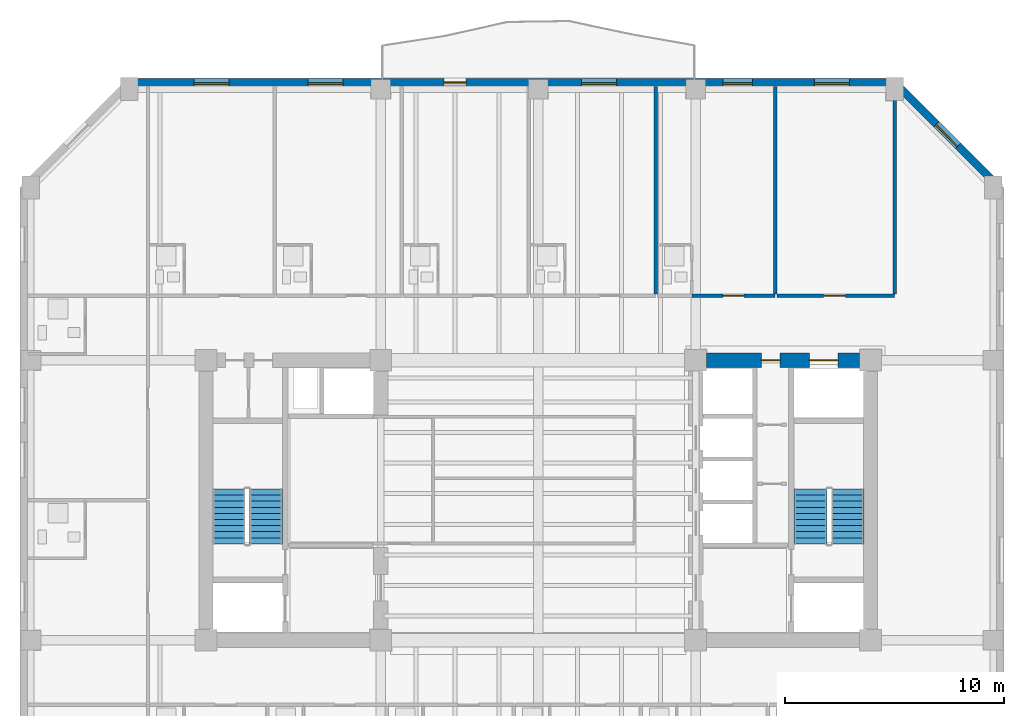
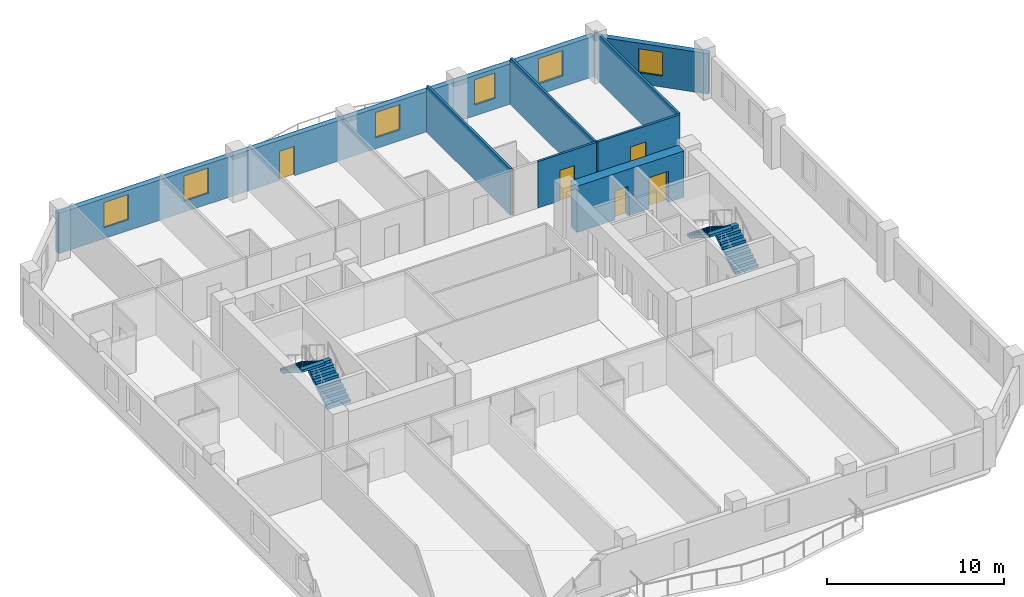
# One storey, part 6 of 11: 8 walls, 6 windows, 5 doors, 4 stair flights, 11 openings, 2 elements without a shape of their own.
"""IFC4 building model written with IfcOpenShell, lengths in metres."""

from ifc_helpers import new_model, si_unit, direction, frame, frame_2d, origin, place, context, subcontext, project, spatial, polyline, rectangle, outline, extrude, material, layer, layer_set, type_object, element, fill, aggregate, save


model = new_model("IFC4")

# Units and contexts
model_context = context("Model", 3, precision=1e-05, world=origin(), true_north=direction((0.0, 1.0)))
body_context = subcontext(model_context, "Body", "Model", "MODEL_VIEW")
ifc_project = project(units=[si_unit("LENGTHUNIT", "METRE"), si_unit("AREAUNIT", "SQUARE_METRE"), si_unit("VOLUMEUNIT", "CUBIC_METRE"), si_unit("PLANEANGLEUNIT", "RADIAN"), si_unit("MASSUNIT", "GRAM", prefix="KILO")], contexts=[model_context])

# Site, building, storey
site_placement = place(None, origin())
site = spatial("IfcSite", under=ifc_project, at=site_placement, CompositionType="ELEMENT")
building_placement = place(site_placement, origin())
building = spatial("IfcBuilding", under=site, at=building_placement, Name="Kranthara Brick Stack", CompositionType="ELEMENT")
storey_placement = place(building_placement, frame((0.0, 0.0, 130.800048828125)))
storey = spatial("IfcBuildingStorey", under=building, at=storey_placement, Name="L32", CompositionType="ELEMENT", Elevation=130.800048828125)

# Wall, openings, door, windows
ifc_material_1 = material(Name="Kiln-fired clay brick masonry M15", Category="masonry")
ifc_layer_1 = layer(ifc_material_1, 0.35009765625)
ifc_layer_set_1 = layer_set([ifc_layer_1], Name="Kiln-fired clay brick masonry M15")
wall_type_1 = type_object("IfcWallType", Name="WL-BRK-SPND-350", PredefinedType="STANDARD", material=ifc_layer_set_1)
wall_1_placement = place(storey_placement, frame((9.300048828125, 46.304931640625, 0.0), z_axis=(0.0, 0.0, 1.0), x_axis=(1.0, 0.0, 0.0)))
wall_1 = element("IfcWall", 1, at=wall_1_placement, inside=storey, type_object=wall_type_1, Name="L32 Exterior Brick Facade Wall NORTH 1", PredefinedType="STANDARD", context=body_context, shape_type="SweptSolid", body=[
    extrude(rectangle(XDim=35.0, YDim=0.35009765625, at=frame_2d((17.5, 0.0))), origin(), (0.0, 0.0, 1.0), 2.784912109375),
])
opening_1_placement = place(wall_1_placement, frame((14.39990234375, 0.0, 0.0)))
opening_1 = element("IfcOpeningElement", 2, at=opening_1_placement, cuts=wall_1, Name="Opening D03", PredefinedType="OPENING", context=body_context, shape_type="SweptSolid", body=[
    extrude(rectangle(XDim=1.0, YDim=2.02001953125, at=frame_2d((0.5, 1.010009765625))), frame((0.0, 0.18505859375, 0.0), z_axis=(0.0, -1.0, 0.0), x_axis=(1.0, 0.0, 0.0)), (0.0, 0.0, 1.0), 0.3701171875),
])
opening_2_placement = place(wall_1_placement, frame((2.952880859375, 0.0, 0.75)))
opening_2 = element("IfcOpeningElement", 3, at=opening_2_placement, cuts=wall_1, Name="Opening WN04", PredefinedType="OPENING", context=body_context, shape_type="SweptSolid", body=[
    extrude(rectangle(XDim=1.60009765625, YDim=1.75, at=frame_2d((0.800048828125, 0.875))), frame((0.0, 0.18505859375, 0.0), z_axis=(0.0, -1.0, 0.0), x_axis=(1.0, 0.0, 0.0)), (0.0, 0.0, 1.0), 0.3701171875),
])
opening_3_placement = place(wall_1_placement, frame((8.177978515625, 0.0, 0.75)))
opening_3 = element("IfcOpeningElement", 4, at=opening_3_placement, cuts=wall_1, Name="Opening WN04", PredefinedType="OPENING", context=body_context, shape_type="SweptSolid", body=[
    extrude(rectangle(XDim=1.60009765625, YDim=1.75, at=frame_2d((0.800048828125, 0.875))), frame((0.0, 0.18505859375, 0.0), z_axis=(0.0, -1.0, 0.0), x_axis=(1.0, 0.0, 0.0)), (0.0, 0.0, 1.0), 0.3701171875),
])
opening_4_placement = place(wall_1_placement, frame((20.68603515625, 0.0, 0.75)))
opening_4 = element("IfcOpeningElement", 5, at=opening_4_placement, cuts=wall_1, Name="Opening WN04", PredefinedType="OPENING", context=body_context, shape_type="SweptSolid", body=[
    extrude(rectangle(XDim=1.60009765625, YDim=1.75, at=frame_2d((0.800048828125, 0.875))), frame((0.0, 0.18505859375, 0.0), z_axis=(0.0, -1.0, 0.0), x_axis=(1.0, 0.0, 0.0)), (0.0, 0.0, 1.0), 0.3701171875),
])
opening_5_placement = place(wall_1_placement, frame((27.14306640625, 0.0, 0.75)))
opening_5 = element("IfcOpeningElement", 6, at=opening_5_placement, cuts=wall_1, Name="Opening WN06", PredefinedType="OPENING", context=body_context, shape_type="SweptSolid", body=[
    extrude(rectangle(XDim=1.35009765625, YDim=1.75, at=frame_2d((0.675048828125, 0.875))), frame((0.0, 0.18505859375, 0.0), z_axis=(0.0, -1.0, 0.0), x_axis=(1.0, 0.0, 0.0)), (0.0, 0.0, 1.0), 0.3701171875),
])
opening_6_placement = place(wall_1_placement, frame((31.330078125, 0.0, 0.75)))
opening_6 = element("IfcOpeningElement", 7, at=opening_6_placement, cuts=wall_1, Name="Opening WN04", PredefinedType="OPENING", context=body_context, shape_type="SweptSolid", body=[
    extrude(rectangle(XDim=1.60009765625, YDim=1.75, at=frame_2d((0.800048828125, 0.875))), frame((0.0, 0.18505859375, 0.0), z_axis=(0.0, -1.0, 0.0), x_axis=(1.0, 0.0, 0.0)), (0.0, 0.0, 1.0), 0.3701171875),
])
ifc_material_2 = material(Name="Bronze anodised aluminium and laminated glass", Category="aluminium")
door_type_1 = type_object("IfcDoorType", Name="DR-BALC-1000", OperationType="NOTDEFINED", PredefinedType="DOOR", material=ifc_material_2)
door_1_placement = place(opening_1_placement, origin())
door_1 = element("IfcDoor", 8, at=door_1_placement, inside=storey, type_object=door_type_1, Name="L32 North Balcony Terrace Door", OperationType="SINGLE_SWING_RIGHT", OverallHeight=2.02001953125, OverallWidth=1.0, PredefinedType="DOOR", context=body_context, shape_type="SweptSolid", body=[
    extrude(rectangle(XDim=1.0, YDim=2.02001953125, at=frame_2d((0.5, 1.010009765625))), frame((0.0, 0.02490234375, 0.0), z_axis=(0.0, -1.0, 0.0), x_axis=(1.0, 0.0, 0.0)), (0.0, 0.0, 1.0), 0.050048828125),
])
fill(opening_1, door_1)
ifc_material_3 = material(Name="Double-glazed low-E solar control glass", Category="glass")
window_type_1 = type_object("IfcWindowType", Name="WN-HTL-1350x1850", PartitioningType="SINGLE_PANEL", PredefinedType="WINDOW", material=ifc_material_3)
window_1_placement = place(opening_5_placement, origin())
window_1 = element("IfcWindow", 9, at=window_1_placement, inside=storey, type_object=window_type_1, Name="L32 North Deep-Set Brick Window 04", OverallHeight=1.75, OverallWidth=1.35009765625, PartitioningType="SINGLE_PANEL", PredefinedType="WINDOW", context=body_context, shape_type="SweptSolid", body=[
    extrude(rectangle(XDim=1.35009765625, YDim=1.75, at=frame_2d((0.675048828125, 0.875))), frame((0.0, -0.010009765625, 0.0), z_axis=(0.0, -1.0, 0.0), x_axis=(1.0, 0.0, 0.0)), (0.0, 0.0, 1.0), 0.06005859375),
])
fill(opening_5, window_1)
ifc_material_4 = material(Name="Double-glazed low-E solar control glass", Category="glass")
window_type_2 = type_object("IfcWindowType", Name="WN-HTL-1600x1850", PartitioningType="DOUBLE_PANEL_VERTICAL", PredefinedType="WINDOW", material=ifc_material_4)
window_2_placement = place(opening_2_placement, origin())
window_2 = element("IfcWindow", 10, at=window_2_placement, inside=storey, type_object=window_type_2, Name="L32 North Deep-Set Brick Window 01", OverallHeight=1.75, OverallWidth=1.60009765625, PartitioningType="SINGLE_PANEL", PredefinedType="WINDOW", context=body_context, shape_type="SweptSolid", body=[
    extrude(rectangle(XDim=1.60009765625, YDim=1.75, at=frame_2d((0.800048828125, 0.875))), frame((0.0, -0.010009765625, 0.0), z_axis=(0.0, -1.0, 0.0), x_axis=(1.0, 0.0, 0.0)), (0.0, 0.0, 1.0), 0.06005859375),
])
fill(opening_2, window_2)
window_3_placement = place(opening_3_placement, origin())
window_3 = element("IfcWindow", 11, at=window_3_placement, inside=storey, type_object=window_type_2, Name="L32 North Deep-Set Brick Window 02", OverallHeight=1.75, OverallWidth=1.60009765625, PartitioningType="SINGLE_PANEL", PredefinedType="WINDOW", context=body_context, shape_type="SweptSolid", body=[
    extrude(rectangle(XDim=1.60009765625, YDim=1.75, at=frame_2d((0.800048828125, 0.875))), frame((0.0, -0.010009765625, 0.0), z_axis=(0.0, -1.0, 0.0), x_axis=(1.0, 0.0, 0.0)), (0.0, 0.0, 1.0), 0.06005859375),
])
fill(opening_3, window_3)
window_4_placement = place(opening_4_placement, origin())
window_4 = element("IfcWindow", 12, at=window_4_placement, inside=storey, type_object=window_type_2, Name="L32 North Deep-Set Brick Window 03", OverallHeight=1.75, OverallWidth=1.60009765625, PartitioningType="SINGLE_PANEL", PredefinedType="WINDOW", context=body_context, shape_type="SweptSolid", body=[
    extrude(rectangle(XDim=1.60009765625, YDim=1.75, at=frame_2d((0.800048828125, 0.875))), frame((0.0, -0.010009765625, 0.0), z_axis=(0.0, -1.0, 0.0), x_axis=(1.0, 0.0, 0.0)), (0.0, 0.0, 1.0), 0.06005859375),
])
fill(opening_4, window_4)
window_5_placement = place(opening_6_placement, origin())
window_5 = element("IfcWindow", 13, at=window_5_placement, inside=storey, type_object=window_type_2, Name="L32 North Deep-Set Brick Window 05", OverallHeight=1.75, OverallWidth=1.60009765625, PartitioningType="SINGLE_PANEL", PredefinedType="WINDOW", context=body_context, shape_type="SweptSolid", body=[
    extrude(rectangle(XDim=1.60009765625, YDim=1.75, at=frame_2d((0.800048828125, 0.875))), frame((0.0, -0.010009765625, 0.0), z_axis=(0.0, -1.0, 0.0), x_axis=(1.0, 0.0, 0.0)), (0.0, 0.0, 1.0), 0.06005859375),
])
fill(opening_6, window_5)

# Wall, opening, window
wall_2_placement = place(storey_placement, frame((44.300048828125, 46.304931640625, 0.0), z_axis=(0.0, 0.0, 1.0), x_axis=(0.707106781187, -0.707106781187, 0.0)))
wall_2 = element("IfcWall", 14, at=wall_2_placement, inside=storey, type_object=wall_type_1, Name="L32 Exterior Brick Facade Wall NE 1", PredefinedType="STANDARD", context=body_context, shape_type="SweptSolid", body=[
    extrude(rectangle(XDim=6.795166015625, YDim=0.35009765625, at=frame_2d((3.3974609375, 0.0))), origin(), (0.0, 0.0, 1.0), 2.784912109375),
])
opening_7_placement = place(wall_2_placement, frame((2.697998046875, 0.0, 0.75)))
opening_7 = element("IfcOpeningElement", 15, at=opening_7_placement, cuts=wall_2, Name="Opening WN10", PredefinedType="OPENING", context=body_context, shape_type="SweptSolid", body=[
    extrude(rectangle(XDim=1.39990234375, YDim=1.64990234375, at=frame_2d((0.699951171875, 0.824951171875))), frame((0.0, 0.18505859375, 0.0), z_axis=(0.0, -1.0, 0.0), x_axis=(1.0, 0.0, 0.0)), (0.0, 0.0, 1.0), 0.3701171875),
])
ifc_material_5 = material(Name="Double-glazed low-E solar control glass", Category="glass")
window_type_3 = type_object("IfcWindowType", Name="WN-CHM-1400x1750", PartitioningType="SINGLE_PANEL", PredefinedType="WINDOW", material=ifc_material_5)
window_6_placement = place(opening_7_placement, origin())
window_6 = element("IfcWindow", 16, at=window_6_placement, inside=storey, type_object=window_type_3, Name="L32 NE Chamfer Corner Window", OverallHeight=1.64990234375, OverallWidth=1.39990234375, PartitioningType="SINGLE_PANEL", PredefinedType="WINDOW", context=body_context, shape_type="SweptSolid", body=[
    extrude(rectangle(XDim=1.39990234375, YDim=1.64990234375, at=frame_2d((0.699951171875, 0.824951171875))), frame((0.0, -0.010009765625, 0.0), z_axis=(0.0, -1.0, 0.0), x_axis=(1.0, 0.0, 0.0)), (0.0, 0.0, 1.0), 0.06005859375),
])
fill(opening_7, window_6)

# Wall, openings, doors
ifc_material_6 = material(Name="Concrete C60/75", Category="concrete")
ifc_layer_2 = layer(ifc_material_6, 0.64990234375)
ifc_layer_set_2 = layer_set([ifc_layer_2], Name="Concrete C60/75")
wall_type_2 = type_object("IfcWallType", Name="WL-CORE-650", PredefinedType="SHEAR", material=ifc_layer_set_2)
wall_3_placement = place(storey_placement, frame((35.705078125, 33.60009765625, 0.0), z_axis=(0.0, 0.0, 1.0), x_axis=(1.0, 0.0, 0.0)))
wall_3 = element("IfcWall", 17, at=wall_3_placement, inside=storey, type_object=wall_type_2, Name="L32 East Core Shear Wall North", PredefinedType="SHEAR", context=body_context, shape_type="SweptSolid", body=[
    extrude(rectangle(XDim=6.989990234375, YDim=0.64990234375, at=frame_2d((3.4951171875, 0.0))), origin(), (0.0, 0.0, 1.0), 3.199951171875),
])
opening_8_placement = place(wall_3_placement, frame((4.695068359375, 0.0, 0.0)))
opening_8 = element("IfcOpeningElement", 18, at=opening_8_placement, cuts=wall_3, Name="Opening LD03", PredefinedType="OPENING", context=body_context, shape_type="SweptSolid", body=[
    extrude(rectangle(XDim=1.300048828125, YDim=2.14990234375, at=frame_2d((0.64990234375, 1.074951171875))), frame((0.0, 0.3349609375, 0.0), z_axis=(0.0, -1.0, 0.0), x_axis=(1.0, 0.0, 0.0)), (0.0, 0.0, 1.0), 0.669921875),
])
opening_9_placement = place(wall_3_placement, frame((2.4951171875, 0.0, 0.0)))
opening_9 = element("IfcOpeningElement", 19, at=opening_9_placement, cuts=wall_3, Name="Opening D10", PredefinedType="OPENING", context=body_context, shape_type="SweptSolid", body=[
    extrude(rectangle(XDim=0.85009765625, YDim=2.02001953125, at=frame_2d((0.425048828125, 1.010009765625))), frame((0.0, 0.3349609375, 0.0), z_axis=(0.0, -1.0, 0.0), x_axis=(1.0, 0.0, 0.0)), (0.0, 0.0, 1.0), 0.669921875),
])
ifc_material_7 = material(Name="Stainless steel sliding landing door", Category="steel")
door_type_2 = type_object("IfcDoorType", Name="DR-LD-SV1300", OperationType="DOUBLE_DOOR_SLIDING", PredefinedType="DOOR", material=ifc_material_7)
door_2_placement = place(opening_8_placement, origin())
door_2 = element("IfcDoor", 20, at=door_2_placement, inside=storey, type_object=door_type_2, Name="L32 Stretcher Service Lift SV-01 Landing Door", OperationType="DOUBLE_DOOR_SLIDING", OverallHeight=2.14990234375, OverallWidth=1.300048828125, PredefinedType="DOOR", context=body_context, shape_type="SweptSolid", body=[
    extrude(rectangle(XDim=1.300048828125, YDim=2.14990234375, at=frame_2d((0.64990234375, 1.074951171875))), frame((0.0, 0.02490234375, 0.0), z_axis=(0.0, -1.0, 0.0), x_axis=(1.0, 0.0, 0.0)), (0.0, 0.0, 1.0), 0.050048828125),
])
fill(opening_8, door_2)
ifc_material_8 = material(Name="Solid-core hardwood timber leaf in steel frame", Category="steel")
door_type_3 = type_object("IfcDoorType", Name="DR-RSR-850", OperationType="NOTDEFINED", PredefinedType="DOOR", material=ifc_material_8)
door_3_placement = place(opening_9_placement, origin())
door_3 = element("IfcDoor", 21, at=door_3_placement, inside=storey, type_object=door_type_3, Name="L32 East Core Service Room Door", OperationType="SINGLE_SWING_LEFT", OverallHeight=2.02001953125, OverallWidth=0.85009765625, PredefinedType="DOOR", context=body_context, shape_type="SweptSolid", body=[
    extrude(rectangle(XDim=0.85009765625, YDim=2.02001953125, at=frame_2d((0.425048828125, 1.010009765625))), frame((0.0, 0.02490234375, 0.0), z_axis=(0.0, -1.0, 0.0), x_axis=(1.0, 0.0, 0.0)), (0.0, 0.0, 1.0), 0.050048828125),
])
fill(opening_9, door_3)

# Wall
ifc_material_9 = material(Name="Fire-rated gypsum board partition", Category="other")
ifc_layer_3 = layer(ifc_material_9, 0.14990234375)
ifc_layer_set_3 = layer_set([ifc_layer_3], Name="Fire-rated gypsum board partition")
wall_type_3 = type_object("IfcWallType", Name="WL-PART-150", PredefinedType="PARTITIONING", material=ifc_layer_set_3)
wall_4_placement = place(storey_placement, frame((33.3720703125, 36.6298828125, 0.0), z_axis=(0.0, 0.0, 1.0), x_axis=(0.0, 1.0, 0.0)))
element("IfcWall", 22, at=wall_4_placement, inside=storey, type_object=wall_type_3, Name="L32 Interior Partition 060", PredefinedType="PARTITIONING", context=body_context, shape_type="SweptSolid", body=[
    extrude(rectangle(XDim=9.4951171875, YDim=0.14990234375, at=frame_2d((4.74755859375, 0.0))), origin(), (0.0, 0.0, 1.0), 3.199951171875),
])

# Wall, opening, door
wall_5_placement = place(storey_placement, frame((35.02197265625, 36.550048828125, 0.0), z_axis=(0.0, 0.0, 1.0), x_axis=(1.0, 0.0, 0.0)))
wall_5 = element("IfcWall", 23, at=wall_5_placement, inside=storey, type_object=wall_type_3, Name="L32 Interior Partition 062", PredefinedType="PARTITIONING", context=body_context, shape_type="SweptSolid", body=[
    extrude(rectangle(XDim=3.81396484375, YDim=0.14990234375, at=frame_2d((1.906982421875, 0.0))), origin(), (0.0, 0.0, 1.0), 3.199951171875),
])
opening_10_placement = place(wall_5_placement, frame((1.427001953125, 0.0, 0.0)))
opening_10 = element("IfcOpeningElement", 24, at=opening_10_placement, cuts=wall_5, Name="Opening D09", PredefinedType="OPENING", context=body_context, shape_type="SweptSolid", body=[
    extrude(rectangle(XDim=0.949951171875, YDim=2.10009765625, at=frame_2d((0.47509765625, 1.050048828125))), frame((0.0, 0.0849609375, 0.0), z_axis=(0.0, -1.0, 0.0), x_axis=(1.0, 0.0, 0.0)), (0.0, 0.0, 1.0), 0.169921875),
])
ifc_material_10 = material(Name="Solid-core hardwood timber leaf in steel frame", Category="steel")
door_type_4 = type_object("IfcDoorType", Name="DR-FD-950", OperationType="NOTDEFINED", PredefinedType="DOOR", material=ifc_material_10)
door_4_placement = place(opening_10_placement, origin())
door_4 = element("IfcDoor", 25, at=door_4_placement, inside=storey, type_object=door_type_4, Name="L32 Key 11 Entry 28", OperationType="SINGLE_SWING_RIGHT", OverallHeight=2.10009765625, OverallWidth=0.949951171875, PredefinedType="DOOR", context=body_context, shape_type="SweptSolid", body=[
    extrude(rectangle(XDim=0.949951171875, YDim=2.10009765625, at=frame_2d((0.47509765625, 1.050048828125))), frame((0.0, 0.02490234375, 0.0), z_axis=(0.0, -1.0, 0.0), x_axis=(1.0, 0.0, 0.0)), (0.0, 0.0, 1.0), 0.050048828125),
])
fill(opening_10, door_4)

# Wall
wall_6_placement = place(storey_placement, frame((38.8359375, 36.6298828125, 0.0), z_axis=(0.0, 0.0, 1.0), x_axis=(0.0, 1.0, 0.0)))
element("IfcWall", 26, at=wall_6_placement, inside=storey, type_object=wall_type_3, Name="L32 Interior Partition 065", PredefinedType="PARTITIONING", context=body_context, shape_type="SweptSolid", body=[
    extrude(rectangle(XDim=9.4951171875, YDim=0.14990234375, at=frame_2d((4.74755859375, 0.0))), origin(), (0.0, 0.0, 1.0), 3.199951171875),
])

# Wall, opening, door
wall_7_placement = place(storey_placement, frame((38.916015625, 36.550048828125, 0.0), z_axis=(0.0, 0.0, 1.0), x_axis=(1.0, 0.0, 0.0)))
wall_7 = element("IfcWall", 27, at=wall_7_placement, inside=storey, type_object=wall_type_3, Name="L32 Interior Partition 066", PredefinedType="PARTITIONING", context=body_context, shape_type="SweptSolid", body=[
    extrude(rectangle(XDim=5.384033203125, YDim=0.14990234375, at=frame_2d((2.69189453125, 0.0))), origin(), (0.0, 0.0, 1.0), 3.199951171875),
])
opening_11_placement = place(wall_7_placement, frame((2.132080078125, 0.0, 0.0)))
opening_11 = element("IfcOpeningElement", 28, at=opening_11_placement, cuts=wall_7, Name="Opening D08", PredefinedType="OPENING", context=body_context, shape_type="SweptSolid", body=[
    extrude(rectangle(XDim=1.0, YDim=2.10009765625, at=frame_2d((0.5, 1.050048828125))), frame((0.0, 0.0849609375, 0.0), z_axis=(0.0, -1.0, 0.0), x_axis=(1.0, 0.0, 0.0)), (0.0, 0.0, 1.0), 0.169921875),
])
ifc_material_11 = material(Name="Solid-core hardwood timber leaf in steel frame", Category="steel")
door_type_5 = type_object("IfcDoorType", Name="DR-FD-1000", OperationType="NOTDEFINED", PredefinedType="DOOR", material=ifc_material_11)
door_5_placement = place(opening_11_placement, origin())
door_5 = element("IfcDoor", 29, at=door_5_placement, inside=storey, type_object=door_type_5, Name="L32 Guest Lounge 29", OperationType="SINGLE_SWING_LEFT", OverallHeight=2.10009765625, OverallWidth=1.0, PredefinedType="DOOR", context=body_context, shape_type="SweptSolid", body=[
    extrude(rectangle(XDim=1.0, YDim=2.10009765625, at=frame_2d((0.5, 1.050048828125))), frame((0.0, 0.02490234375, 0.0), z_axis=(0.0, -1.0, 0.0), x_axis=(1.0, 0.0, 0.0)), (0.0, 0.0, 1.0), 0.050048828125),
])
fill(opening_11, door_5)

# Wall
wall_8_placement = place(storey_placement, frame((44.300048828125, 36.6298828125, 0.0), z_axis=(0.0, 0.0, 1.0), x_axis=(0.0, 1.0, 0.0)))
element("IfcWall", 30, at=wall_8_placement, inside=storey, type_object=wall_type_3, Name="L32 Interior Partition 067", PredefinedType="PARTITIONING", context=body_context, shape_type="SweptSolid", body=[
    extrude(rectangle(XDim=9.4951171875, YDim=0.14990234375, at=frame_2d((4.74755859375, 0.0))), origin(), (0.0, 0.0, 1.0), 3.199951171875),
])

# Stair, stair flights
ifc_material_12 = material(Name="Concrete C45/55", Category="concrete")
stair_type = type_object("IfcStairType", Name="ST-CORE-20R", PredefinedType="HALF_TURN_STAIR", material=ifc_material_12)
stair_1_placement = place(storey_placement, origin())
stair_1 = element("IfcStair", 31, at=stair_1_placement, inside=storey, type_object=stair_type, Name="L32 West Core Protected Exit Stair ST01", PredefinedType="HALF_TURN_STAIR")
ifc_material_13 = material(Name="Concrete C45/55", Category="concrete")
stair_flight_type = type_object("IfcStairFlightType", Name="SFL-RC-20R", PredefinedType="STRAIGHT", material=ifc_material_13)
stair_flight_1_placement = place(storey_placement, frame((15.550048828125, 25.199951171875, 0.0), z_axis=(0.0, 0.0, 1.0), x_axis=(0.0, 1.0, 0.0)))
stair_flight_1 = element("IfcStairFlight", 32, at=stair_flight_1_placement, type_object=stair_flight_type, Name="ST01 flight 1", NumberOfRisers=10, NumberOfTreads=9, PredefinedType="STRAIGHT", RiserHeight=0.175, TreadLength=0.28, context=body_context, shape_type="SweptSolid", body=[
    extrude(outline(polyline([(0.0, 0.0), (0.0, 0.175048828125), (0.280029296875, 0.175048828125), (0.280029296875, 0.35009765625), (0.56005859375, 0.35009765625), (0.56005859375, 0.52490234375), (0.840087890625, 0.52490234375), (0.840087890625, 0.699951171875), (1.1201171875, 0.699951171875), (1.1201171875, 0.875), (1.39990234375, 0.875), (1.39990234375, 1.050048828125), (1.679931640625, 1.050048828125), (1.679931640625, 1.22509765625), (1.9599609375, 1.22509765625), (1.9599609375, 1.39990234375), (2.239990234375, 1.39990234375), (2.239990234375, 1.574951171875), (2.52001953125, 1.574951171875), (2.52001953125, 1.75), (2.52001953125, 1.398193359375), (0.28271484375, 0.0), (0.0, 0.0)])), frame((0.0, 0.75, 0.0), z_axis=(0.0, -1.0, 0.0), x_axis=(1.0, 0.0, 0.0)), (0.0, 0.0, 1.0), 1.5),
])
stair_flight_2_placement = place(storey_placement, frame((13.85009765625, 27.719970703125, 1.75), z_axis=(0.0, 0.0, 1.0), x_axis=(0.0, -1.0, 0.0)))
stair_flight_2 = element("IfcStairFlight", 33, at=stair_flight_2_placement, type_object=stair_flight_type, Name="ST01 flight 2", NumberOfRisers=10, NumberOfTreads=9, PredefinedType="STRAIGHT", RiserHeight=0.175, TreadLength=0.28, context=body_context, shape_type="SweptSolid", body=[
    extrude(outline(polyline([(0.0, 0.0), (0.0, 0.175048828125), (0.280029296875, 0.175048828125), (0.280029296875, 0.35009765625), (0.56005859375, 0.35009765625), (0.56005859375, 0.52490234375), (0.840087890625, 0.52490234375), (0.840087890625, 0.699951171875), (1.1201171875, 0.699951171875), (1.1201171875, 0.875), (1.39990234375, 0.875), (1.39990234375, 1.050048828125), (1.679931640625, 1.050048828125), (1.679931640625, 1.22509765625), (1.9599609375, 1.22509765625), (1.9599609375, 1.39990234375), (2.239990234375, 1.39990234375), (2.239990234375, 1.574951171875), (2.52001953125, 1.574951171875), (2.52001953125, 1.75), (2.52001953125, 1.398193359375), (0.28271484375, 0.0), (0.0, 0.0)])), frame((0.0, 0.75, 0.0), z_axis=(0.0, -1.0, 0.0), x_axis=(1.0, 0.0, 0.0)), (0.0, 0.0, 1.0), 1.5),
])
aggregate(stair_1, [stair_flight_1, stair_flight_2])

stair_2_placement = place(storey_placement, origin())
stair_2 = element("IfcStair", 34, at=stair_2_placement, inside=storey, type_object=stair_type, Name="L32 East Core Protected Exit Stair ST02", PredefinedType="HALF_TURN_STAIR")
stair_flight_3_placement = place(storey_placement, frame((42.14990234375, 25.199951171875, 0.0), z_axis=(0.0, 0.0, 1.0), x_axis=(0.0, 1.0, 0.0)))
stair_flight_3 = element("IfcStairFlight", 35, at=stair_flight_3_placement, type_object=stair_flight_type, Name="ST02 flight 1", NumberOfRisers=10, NumberOfTreads=9, PredefinedType="STRAIGHT", RiserHeight=0.175, TreadLength=0.28, context=body_context, shape_type="SweptSolid", body=[
    extrude(outline(polyline([(0.0, 0.0), (0.0, 0.175048828125), (0.280029296875, 0.175048828125), (0.280029296875, 0.35009765625), (0.56005859375, 0.35009765625), (0.56005859375, 0.52490234375), (0.840087890625, 0.52490234375), (0.840087890625, 0.699951171875), (1.1201171875, 0.699951171875), (1.1201171875, 0.875), (1.39990234375, 0.875), (1.39990234375, 1.050048828125), (1.679931640625, 1.050048828125), (1.679931640625, 1.22509765625), (1.9599609375, 1.22509765625), (1.9599609375, 1.39990234375), (2.239990234375, 1.39990234375), (2.239990234375, 1.574951171875), (2.52001953125, 1.574951171875), (2.52001953125, 1.75), (2.52001953125, 1.398193359375), (0.28271484375, 0.0), (0.0, 0.0)])), frame((0.0, 0.75, 0.0), z_axis=(0.0, -1.0, 0.0), x_axis=(1.0, 0.0, 0.0)), (0.0, 0.0, 1.0), 1.5),
])
stair_flight_4_placement = place(storey_placement, frame((40.449951171875, 27.719970703125, 1.75), z_axis=(0.0, 0.0, 1.0), x_axis=(0.0, -1.0, 0.0)))
stair_flight_4 = element("IfcStairFlight", 36, at=stair_flight_4_placement, type_object=stair_flight_type, Name="ST02 flight 2", NumberOfRisers=10, NumberOfTreads=9, PredefinedType="STRAIGHT", RiserHeight=0.175, TreadLength=0.28, context=body_context, shape_type="SweptSolid", body=[
    extrude(outline(polyline([(0.0, 0.0), (0.0, 0.175048828125), (0.280029296875, 0.175048828125), (0.280029296875, 0.35009765625), (0.56005859375, 0.35009765625), (0.56005859375, 0.52490234375), (0.840087890625, 0.52490234375), (0.840087890625, 0.699951171875), (1.1201171875, 0.699951171875), (1.1201171875, 0.875), (1.39990234375, 0.875), (1.39990234375, 1.050048828125), (1.679931640625, 1.050048828125), (1.679931640625, 1.22509765625), (1.9599609375, 1.22509765625), (1.9599609375, 1.39990234375), (2.239990234375, 1.39990234375), (2.239990234375, 1.574951171875), (2.52001953125, 1.574951171875), (2.52001953125, 1.75), (2.52001953125, 1.398193359375), (0.28271484375, 0.0), (0.0, 0.0)])), frame((0.0, 0.75, 0.0), z_axis=(0.0, -1.0, 0.0), x_axis=(1.0, 0.0, 0.0)), (0.0, 0.0, 1.0), 1.5),
])
aggregate(stair_2, [stair_flight_3, stair_flight_4])

save(model, "model.ifc")
